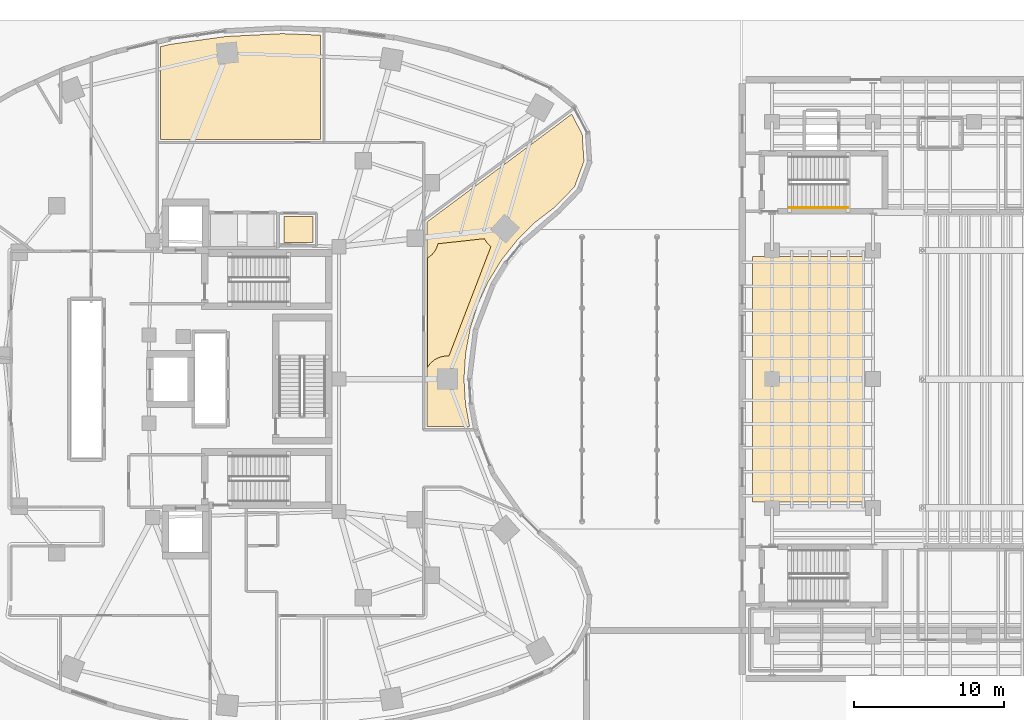
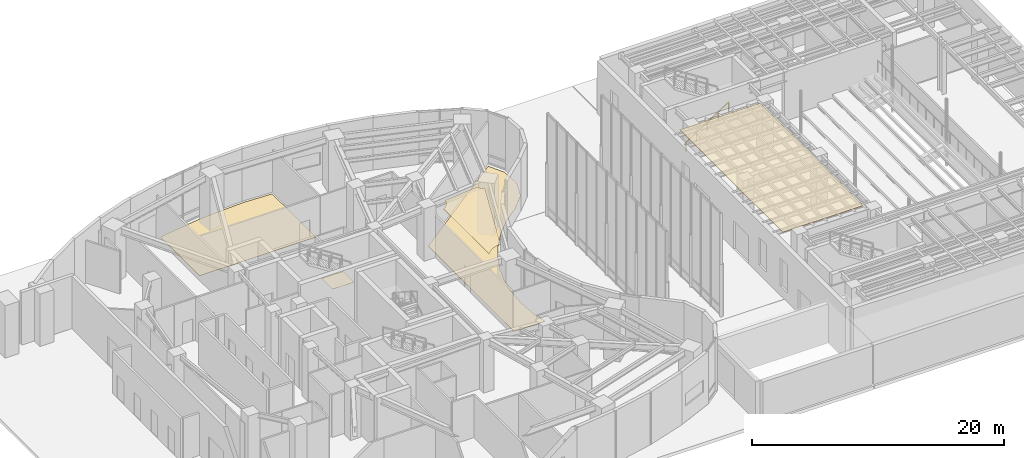
# One storey, part 26 of 28: 5 coverings, 1 railing.
"""IFC4 building model written with IfcOpenShell, lengths in metres."""

from ifc_helpers import new_model, si_unit, direction, frame, origin, origin_2d, place, context, subcontext, project, spatial, polyline, rectangle, outline, extrude, material, layer, layer_set, type_object, element, save


model = new_model("IFC4")

# Units and contexts
model_context = context("Model", 3, precision=1e-05, world=origin(), true_north=direction((0.0, 1.0)))
body_context = subcontext(model_context, "Body", "Model", "MODEL_VIEW")
ifc_project = project(units=[si_unit("LENGTHUNIT", "METRE"), si_unit("AREAUNIT", "SQUARE_METRE"), si_unit("VOLUMEUNIT", "CUBIC_METRE"), si_unit("PLANEANGLEUNIT", "RADIAN"), si_unit("MASSUNIT", "GRAM", prefix="KILO")], contexts=[model_context])

# Site, building, storey
site_placement = place(None, origin())
site = spatial("IfcSite", under=ifc_project, at=site_placement, CompositionType="ELEMENT")
building_placement = place(site_placement, origin())
building = spatial("IfcBuilding", under=site, at=building_placement, Name="Korentha Bioscience Tower", CompositionType="ELEMENT")
storey_placement = place(building_placement, origin())
storey = spatial("IfcBuildingStorey", under=building, at=storey_placement, Name="L00", CompositionType="ELEMENT", Elevation=0.0)

# Covering
ifc_material_1 = material(Name="Vitrified Porcelain Tile", Category="ceramic")
ifc_layer_1 = layer(ifc_material_1, 0.014892578125, Name="Vitrified Porcelain Tile")
ifc_layer_set_1 = layer_set([ifc_layer_1], Name="Vitrified Porcelain Tile (FL-CER)")
covering_type_1 = type_object("IfcCoveringType", Name="Anti-Slip Ceramic Wet-Room Tile Flooring 15", PredefinedType="FLOORING", material=ifc_layer_set_1)
covering_1_placement = place(storey_placement, origin())
element("IfcCovering", 1, at=covering_1_placement, inside=storey, type_object=covering_type_1, Name="L00 Accessible Staff WC Floor Finish", PredefinedType="FLOORING", context=body_context, shape_type="SweptSolid", body=[
    extrude(outline(polyline([(33.8701171875, 36.1298828125), (33.8701171875, 37.8701171875), (35.830078125, 37.8701171875), (35.830078125, 36.1298828125), (33.8701171875, 36.1298828125)])), origin(), (0.0, 0.0, 1.0), 0.014892578125),
])

# Railing
ifc_material_2 = material(Name="Stainless Steel 304", Category="steel")
railing_type = type_object("IfcRailingType", Name="Brushed Stainless Stair Handrail 900", PredefinedType="HANDRAIL", material=ifc_material_2)
railing_placement = place(storey_placement, frame((67.64990234375, 38.449951171875, 0.179931640625)))
element("IfcRailing", 2, at=railing_placement, inside=storey, type_object=railing_type, Name="L00 ST-T2 stair handrail 1", PredefinedType="HANDRAIL", context=body_context, shape_type="SweptSolid", body=[
    extrude(rectangle(XDim=0.048095703125, YDim=0.048095703125, at=origin_2d()), frame((0.0, 0.0, 0.8759765625), z_axis=(0.841186985886, 0.0, 0.540744352514), x_axis=(0.0, 1.0, 0.0)), (0.0, 0.0, 1.0), 4.660400390625),
    extrude(rectangle(XDim=0.0419921875, YDim=0.0419921875, at=origin_2d()), origin(), (0.0, 0.0, 1.0), 0.851806640625),
    extrude(rectangle(XDim=0.0419921875, YDim=0.0419921875, at=origin_2d()), frame((0.97998046875, 0.0, 0.6298828125)), (0.0, 0.0, 1.0), 0.851806640625),
    extrude(rectangle(XDim=0.0419921875, YDim=0.0419921875, at=origin_2d()), frame((1.9599609375, 0.0, 1.260009765625)), (0.0, 0.0, 1.0), 0.851806640625),
    extrude(rectangle(XDim=0.0419921875, YDim=0.0419921875, at=origin_2d()), frame((2.940185546875, 0.0, 1.89013671875)), (0.0, 0.0, 1.0), 0.851806640625),
    extrude(rectangle(XDim=0.0419921875, YDim=0.0419921875, at=origin_2d()), frame((3.920166015625, 0.0, 2.52001953125)), (0.0, 0.0, 1.0), 0.851806640625),
])

# Coverings
ifc_material_3 = material(Name="Honed Travertine Limestone", Category="masonry")
ifc_layer_2 = layer(ifc_material_3, 0.02490234375, Name="Honed Travertine Limestone")
ifc_layer_set_2 = layer_set([ifc_layer_2], Name="Honed Travertine Limestone (FL-STN)")
covering_type_2 = type_object("IfcCoveringType", Name="Honed Travertine Lobby Stone Flooring 25", PredefinedType="FLOORING", material=ifc_layer_set_2)
covering_2_placement = place(storey_placement, origin())
element("IfcCovering", 3, at=covering_2_placement, inside=storey, type_object=covering_type_2, Name="L00 Tower Main Entrance Reception Concourse 05 Floor Finish", PredefinedType="FLOORING", context=body_context, shape_type="SweptSolid", body=[
    extrude(outline(polyline([(46.005615234375, 25.344970703125), (46.281494140625, 23.830078125), (43.429931640625, 23.830078125), (43.429931640625, 37.49853515625), (53.10302734375, 44.708740234375), (53.805419921875, 43.364501953125), (53.922607421875, 41.556396484375), (53.297607421875, 39.855712890625), (51.98876953125, 38.503173828125), (50.68212890625, 37.497314453125), (49.494384765625, 36.330078125), (48.414306640625, 34.972412109375), (47.516357421875, 33.498291015625), (46.82470703125, 31.9736328125), (46.327880859375, 30.398681640625), (46.014404296875, 28.727783203125), (45.90625, 27.017578125), (46.005615234375, 25.344970703125)])), origin(), (0.0, 0.0, 1.0), 0.02490234375),
])
covering_3_placement = place(storey_placement, origin())
element("IfcCovering", 4, at=covering_3_placement, inside=storey, type_object=covering_type_2, Name="L00 Visitor Security Accreditation Desk 07 Floor Finish", PredefinedType="FLOORING", context=body_context, shape_type="SweptSolid", body=[
    extrude(outline(polyline([(25.6298828125, 49.218994140625), (26.281982421875, 49.375), (29.989501953125, 49.898681640625), (33.756103515625, 50.0888671875), (36.322021484375, 49.989013671875), (36.322021484375, 43.030029296875), (25.6298828125, 43.030029296875), (25.6298828125, 49.218994140625)])), origin(), (0.0, 0.0, 1.0), 0.02490234375),
])
ifc_material_4 = material(Name="Antimicrobial Mineral Fibre Board", Category="gypsum")
ifc_layer_3 = layer(ifc_material_4, 0.034912109375, Name="Antimicrobial Mineral Fibre Board")
ifc_layer_set_3 = layer_set([ifc_layer_3], Name="Antimicrobial Mineral Fibre Board (CL-MF35)")
covering_type_3 = type_object("IfcCoveringType", Name="Mineral-Fibre Cleanroom Suspended Ceiling 35", PredefinedType="CEILING", material=ifc_layer_set_3)
covering_4_placement = place(storey_placement, frame((0.0, 0.0, 5.06494140625)))
element("IfcCovering", 5, at=covering_4_placement, inside=storey, type_object=covering_type_3, Name="L00 Tower Main Entrance Reception Concourse 05 Acoustic Ceiling", PredefinedType="CEILING", context=body_context, shape_type="SweptSolid", body=[
    extrude(outline(polyline([(47.2685546875, 36.3857421875), (47.463623046875, 36.077392578125), (47.703125, 35.84423828125), (44.900390625, 28.544921875), (44.646728515625, 28.54248046875), (44.496337890625, 28.520263671875), (44.348876953125, 28.4833984375), (44.068115234375, 28.366943359375), (43.9375, 28.288818359375), (43.70263671875, 28.095947265625), (43.6005859375, 27.9833984375), (43.4599609375, 27.77783203125), (43.4599609375, 35.08056640625), (43.757568359375, 35.310791015625), (43.9501953125, 35.5458984375), (44.093505859375, 35.813720703125), (44.16748046875, 36.0478515625), (47.2685546875, 36.3857421875)])), origin(), (0.0, 0.0, 1.0), 0.03515625),
])
ifc_material_5 = material(Name="Perforated Powder-Coated Aluminium", Category="aluminium")
ifc_layer_4 = layer(ifc_material_5, 0.044921875, Name="Perforated Powder-Coated Aluminium")
ifc_layer_set_4 = layer_set([ifc_layer_4], Name="Perforated Powder-Coated Aluminium (CL-M45)")
covering_type_4 = type_object("IfcCoveringType", Name="Perforated Metal Laboratory Acoustic Ceiling 45", PredefinedType="CEILING", material=ifc_layer_set_4)
covering_5_placement = place(storey_placement, frame((0.0, 0.0, 5.054931640625)))
element("IfcCovering", 6, at=covering_5_placement, inside=storey, type_object=covering_type_4, Name="L00 Acoustic Metal Baffle Ceiling", PredefinedType="CEILING", context=body_context, shape_type="SweptSolid", body=[
    extrude(outline(polyline([(65.199951171875, 18.800048828125), (72.60009765625, 18.800048828125), (72.60009765625, 35.199951171875), (65.199951171875, 35.199951171875), (65.199951171875, 18.800048828125)])), origin(), (0.0, 0.0, 1.0), 0.045166015625),
])

save(model, "model.ifc")
